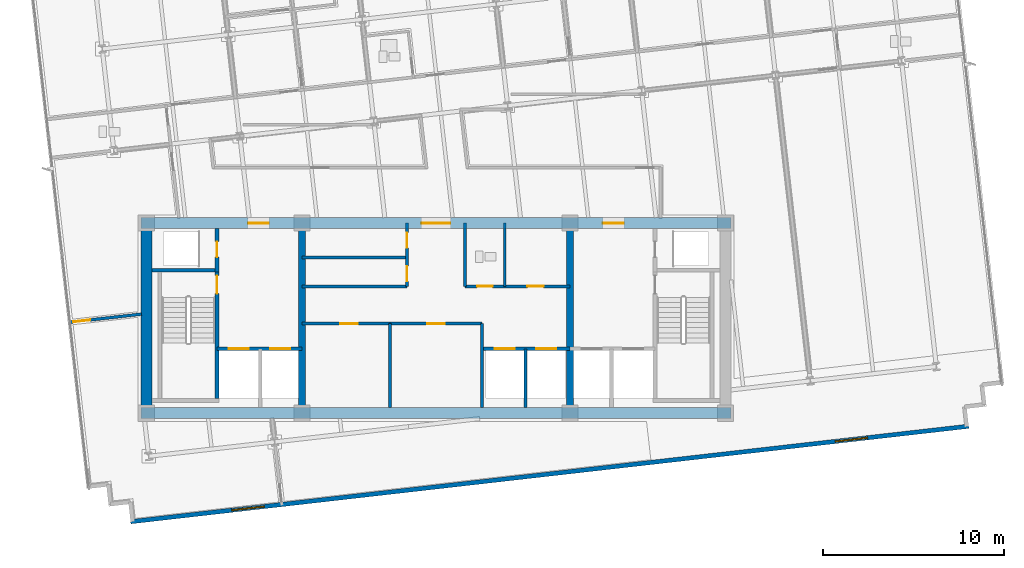
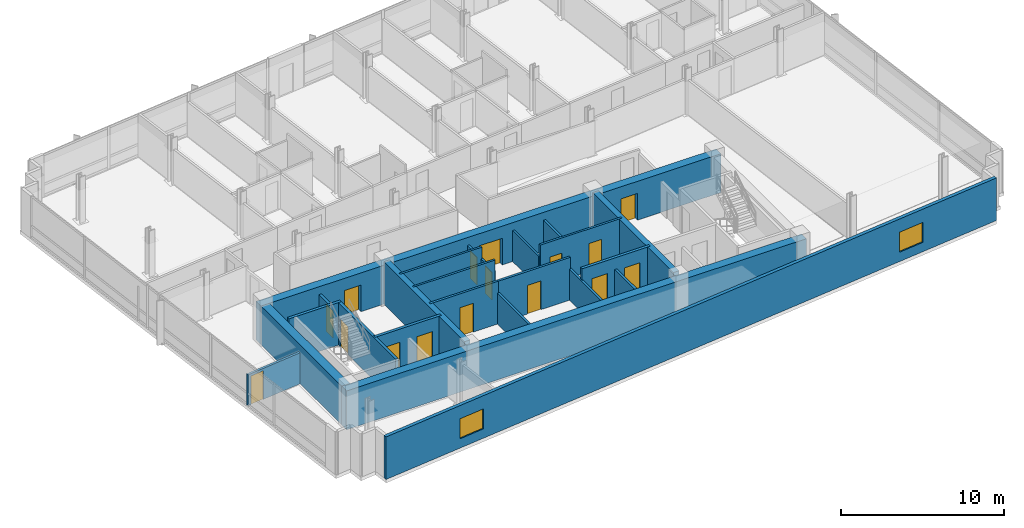
# One storey, part 8 of 16: 23 walls, 16 doors, 2 windows, 18 openings.
"""IFC4 building model written with IfcOpenShell, lengths in metres."""

from ifc_helpers import new_model, si_unit, direction, frame, frame_2d, origin, place, context, subcontext, project, spatial, rectangle, extrude, material, layer, layer_set, type_object, element, fill, save


model = new_model("IFC4")

# Units and contexts
model_context = context("Model", 3, precision=1e-05, world=origin(), true_north=direction((0.0, 1.0)))
body_context = subcontext(model_context, "Body", "Model", "MODEL_VIEW")
ifc_project = project(units=[si_unit("LENGTHUNIT", "METRE"), si_unit("AREAUNIT", "SQUARE_METRE"), si_unit("VOLUMEUNIT", "CUBIC_METRE"), si_unit("PLANEANGLEUNIT", "RADIAN"), si_unit("MASSUNIT", "GRAM", prefix="KILO")], contexts=[model_context])

# Site, building, storey
site_placement = place(None, origin())
site = spatial("IfcSite", under=ifc_project, at=site_placement, CompositionType="ELEMENT")
building_placement = place(site_placement, origin())
building = spatial("IfcBuilding", under=site, at=building_placement, Name="Solmavex Isthmus Hotel", CompositionType="ELEMENT")
storey_placement = place(building_placement, frame((0.0, 0.0, 205.5)))
storey = spatial("IfcBuildingStorey", under=building, at=storey_placement, Name="L55", CompositionType="ELEMENT", Elevation=205.5)

# Wall, openings, windows
ifc_material_1 = material(Name="Precast Concrete C40/50", Category="concrete")
ifc_layer_1 = layer(ifc_material_1, 0.25)
ifc_layer_set_1 = layer_set([ifc_layer_1], Name="Precast Concrete C40/50")
wall_type_1 = type_object("IfcWallType", Name="EW-TWR-250", PredefinedType="STANDARD", material=ifc_layer_set_1)
wall_1_placement = place(storey_placement, frame((-16.86962890625, -18.99951171875, 0.0), z_axis=(0.0, 0.0, 1.0), x_axis=(0.993571588328, 0.113205560228, 0.0)))
wall_1 = element("IfcWall", 1, at=wall_1_placement, inside=storey, type_object=wall_type_1, Name="Tower Rear South Facade Wall L55", PredefinedType="STANDARD", context=body_context, shape_type="SweptSolid", body=[
    extrude(rectangle(XDim=46.60009765625, YDim=0.239990234375, at=frame_2d((23.300048828125, 0.0))), origin(), (0.0, 0.0, 1.0), 3.18994140625),
])
opening_1_placement = place(wall_1_placement, frame((5.6240234375, 0.0, 0.699951171875)))
opening_1 = element("IfcOpeningElement", 2, at=opening_1_placement, cuts=wall_1, Name="Opening WN-02", PredefinedType="OPENING", context=body_context, shape_type="SweptSolid", body=[
    extrude(rectangle(XDim=1.800048828125, YDim=1.5, at=frame_2d((0.89990234375, 0.75))), frame((0.0, 0.1298828125, 0.0), z_axis=(0.0, -1.0, 0.0), x_axis=(1.0, 0.0, 0.0)), (0.0, 0.0, 1.0), 0.260009765625),
])
opening_2_placement = place(wall_1_placement, frame((39.176025390625, 0.0, 0.699951171875)))
opening_2 = element("IfcOpeningElement", 3, at=opening_2_placement, cuts=wall_1, Name="Opening WN-02", PredefinedType="OPENING", context=body_context, shape_type="SweptSolid", body=[
    extrude(rectangle(XDim=1.800048828125, YDim=1.5, at=frame_2d((0.89990234375, 0.75))), frame((0.0, 0.1298828125, 0.0), z_axis=(0.0, -1.0, 0.0), x_axis=(1.0, 0.0, 0.0)), (0.0, 0.0, 1.0), 0.260009765625),
])
ifc_material_2 = material(Name="Clear low-E laminated glass", Category="glass")
window_type = type_object("IfcWindowType", Name="WIN-TWR-1800", PartitioningType="SINGLE_PANEL", PredefinedType="WINDOW", material=ifc_material_2)
window_1_placement = place(opening_1_placement, origin())
window_1 = element("IfcWindow", 4, at=window_1_placement, inside=storey, type_object=window_type, Name="South Facade Vision Window L55-S1", OverallHeight=1.5, OverallWidth=1.800048828125, PartitioningType="SINGLE_PANEL", PredefinedType="WINDOW", context=body_context, shape_type="SweptSolid", body=[
    extrude(rectangle(XDim=1.800048828125, YDim=1.5, at=frame_2d((0.89990234375, 0.75))), frame((0.0, 0.030029296875, 0.0), z_axis=(0.0, -1.0, 0.0), x_axis=(1.0, 0.0, 0.0)), (0.0, 0.0, 1.0), 0.06005859375),
])
fill(opening_1, window_1)
window_2_placement = place(opening_2_placement, origin())
window_2 = element("IfcWindow", 5, at=window_2_placement, inside=storey, type_object=window_type, Name="South Facade Vision Window L55-S2", OverallHeight=1.5, OverallWidth=1.800048828125, PartitioningType="SINGLE_PANEL", PredefinedType="WINDOW", context=body_context, shape_type="SweptSolid", body=[
    extrude(rectangle(XDim=1.800048828125, YDim=1.5, at=frame_2d((0.89990234375, 0.75))), frame((0.0, 0.030029296875, 0.0), z_axis=(0.0, -1.0, 0.0), x_axis=(1.0, 0.0, 0.0)), (0.0, 0.0, 1.0), 0.06005859375),
])
fill(opening_2, window_2)

# Wall, opening, door
ifc_material_3 = material(Name="Gypsum plasterboard lining", Category="gypsum")
ifc_layer_2 = layer(ifc_material_3, 0.159912109375)
ifc_layer_set_2 = layer_set([ifc_layer_2], Name="Gypsum plasterboard lining")
wall_type_2 = type_object("IfcWallType", Name="IW-COMP-160", PredefinedType="PARTITIONING", material=ifc_layer_set_2)
wall_2_placement = place(storey_placement, frame((-7.39990234375, -8.050048828125, 0.0), z_axis=(0.0, 0.0, 1.0), x_axis=(1.0, 0.0, 0.0)))
wall_2 = element("IfcWall", 6, at=wall_2_placement, inside=storey, type_object=wall_type_2, Name="Interior Partition Wall W-L55-REC-PLL-N", PredefinedType="PARTITIONING", context=body_context, shape_type="SweptSolid", body=[
    extrude(rectangle(XDim=4.849853515625, YDim=0.159912109375, at=frame_2d((2.4248046875, 0.0))), origin(), (0.0, 0.0, 1.0), 3.18994140625),
])
opening_3_placement = place(wall_2_placement, frame((2.125, 0.0, 0.0)))
opening_3 = element("IfcOpeningElement", 7, at=opening_3_placement, cuts=wall_2, Name="Opening ID-C095", PredefinedType="OPENING", context=body_context, shape_type="SweptSolid", body=[
    extrude(rectangle(XDim=0.949951171875, YDim=2.14990234375, at=frame_2d((0.47509765625, 1.074951171875))), frame((0.0, 0.08984375, 0.0), z_axis=(0.0, -1.0, 0.0), x_axis=(1.0, 0.0, 0.0)), (0.0, 0.0, 1.0), 0.179931640625),
])
ifc_material_4 = material(Name="Hardwood timber", Category="wood")
door_type_1 = type_object("IfcDoorType", Name="IDR-FD60-0950", OperationType="NOTDEFINED", PredefinedType="DOOR", material=ifc_material_4)
door_1_placement = place(opening_3_placement, origin())
door_1 = element("IfcDoor", 8, at=door_1_placement, inside=storey, type_object=door_type_1, Name="Linen Reserve Door L55", OperationType="SINGLE_SWING_LEFT", OverallHeight=2.14990234375, OverallWidth=0.949951171875, PredefinedType="DOOR", context=body_context, shape_type="SweptSolid", body=[
    extrude(rectangle(XDim=0.949951171875, YDim=2.14990234375, at=frame_2d((0.47509765625, 1.074951171875))), frame((0.0, 0.02490234375, 0.0), z_axis=(0.0, -1.0, 0.0), x_axis=(1.0, 0.0, 0.0)), (0.0, 0.0, 1.0), 0.050048828125),
])
fill(opening_3, door_1)

# Wall
wall_3_placement = place(storey_placement, frame((-2.550048828125, -12.699951171875, 0.0), z_axis=(0.0, 0.0, 1.0), x_axis=(0.0, 1.0, 0.0)))
element("IfcWall", 9, at=wall_3_placement, inside=storey, type_object=wall_type_2, Name="Interior Partition Wall W-L55-REC-PLL-E", PredefinedType="PARTITIONING", context=body_context, shape_type="SweptSolid", body=[
    extrude(rectangle(XDim=4.64990234375, YDim=0.159912109375, at=frame_2d((2.324951171875, 0.0))), origin(), (0.0, 0.0, 1.0), 2.324951171875),
])

# Wall, opening, door
wall_4_placement = place(storey_placement, frame((-2.550048828125, -8.050048828125, 0.0), z_axis=(0.0, 0.0, 1.0), x_axis=(1.0, 0.0, 0.0)))
wall_4 = element("IfcWall", 10, at=wall_4_placement, inside=storey, type_object=wall_type_2, Name="Interior Partition Wall W-L55-REC-PLM-N", PredefinedType="PARTITIONING", context=body_context, shape_type="SweptSolid", body=[
    extrude(rectangle(XDim=5.10009765625, YDim=0.159912109375, at=frame_2d((2.550048828125, 0.0))), origin(), (0.0, 0.0, 1.0), 3.18994140625),
])
opening_4_placement = place(wall_4_placement, frame((2.074951171875, 0.0, 0.0)))
opening_4 = element("IfcOpeningElement", 11, at=opening_4_placement, cuts=wall_4, Name="Opening ID-C095", PredefinedType="OPENING", context=body_context, shape_type="SweptSolid", body=[
    extrude(rectangle(XDim=0.949951171875, YDim=2.14990234375, at=frame_2d((0.47509765625, 1.074951171875))), frame((0.0, 0.08984375, 0.0), z_axis=(0.0, -1.0, 0.0), x_axis=(1.0, 0.0, 0.0)), (0.0, 0.0, 1.0), 0.179931640625),
])
door_2_placement = place(opening_4_placement, origin())
door_2 = element("IfcDoor", 12, at=door_2_placement, inside=storey, type_object=door_type_1, Name="Butler Store Door L55", OperationType="SINGLE_SWING_RIGHT", OverallHeight=2.14990234375, OverallWidth=0.949951171875, PredefinedType="DOOR", context=body_context, shape_type="SweptSolid", body=[
    extrude(rectangle(XDim=0.949951171875, YDim=2.14990234375, at=frame_2d((0.47509765625, 1.074951171875))), frame((0.0, 0.02490234375, 0.0), z_axis=(0.0, -1.0, 0.0), x_axis=(1.0, 0.0, 0.0)), (0.0, 0.0, 1.0), 0.050048828125),
])
fill(opening_4, door_2)

# Wall
wall_5_placement = place(storey_placement, frame((2.550048828125, -12.699951171875, 0.0), z_axis=(0.0, 0.0, 1.0), x_axis=(0.0, 1.0, 0.0)))
element("IfcWall", 13, at=wall_5_placement, inside=storey, type_object=wall_type_2, Name="Interior Partition Wall W-L55-REC-PLM-E", PredefinedType="PARTITIONING", context=body_context, shape_type="SweptSolid", body=[
    extrude(rectangle(XDim=4.64990234375, YDim=0.159912109375, at=frame_2d((2.324951171875, 0.0))), origin(), (0.0, 0.0, 1.0), 2.324951171875),
])

# Wall, opening, door
wall_6_placement = place(storey_placement, frame((-16.26025390625, -7.52685546875, 0.0), z_axis=(0.0, 0.0, 1.0), x_axis=(-0.993571333357, -0.113207798012, 0.0)))
wall_6 = element("IfcWall", 14, at=wall_6_placement, inside=storey, type_object=wall_type_2, Name="Interior Partition Wall W-L55-P070", PredefinedType="PARTITIONING", context=body_context, shape_type="SweptSolid", body=[
    extrude(rectangle(XDim=4.024169921875, YDim=0.159912109375, at=frame_2d((2.01220703125, 0.0))), origin(), (0.0, 0.0, 1.0), 2.324951171875),
])
opening_5_placement = place(wall_6_placement, frame((2.8623046875, 0.0, 0.0)))
opening_5 = element("IfcOpeningElement", 15, at=opening_5_placement, cuts=wall_6, Name="Opening ID-C095", PredefinedType="OPENING", context=body_context, shape_type="SweptSolid", body=[
    extrude(rectangle(XDim=0.949951171875, YDim=2.14990234375, at=frame_2d((0.47509765625, 1.074951171875))), frame((0.0, 0.08984375, 0.0), z_axis=(0.0, -1.0, 0.0), x_axis=(1.0, 0.0, 0.0)), (0.0, 0.0, 1.0), 0.179931640625),
])
door_3_placement = place(opening_5_placement, frame((0.949951171875, 0.0, 0.0), z_axis=(0.0, 0.0, 1.0), x_axis=(-1.0, 0.0, 0.0)))
door_3 = element("IfcDoor", 16, at=door_3_placement, inside=storey, type_object=door_type_1, Name="Corporate Briefing Office Door L55-21", OperationType="SINGLE_SWING_LEFT", OverallHeight=2.14990234375, OverallWidth=0.949951171875, PredefinedType="DOOR", context=body_context, shape_type="SweptSolid", body=[
    extrude(rectangle(XDim=0.949951171875, YDim=2.14990234375, at=frame_2d((0.47509765625, 1.074951171875))), frame((0.0, 0.02490234375, 0.0), z_axis=(0.0, -1.0, 0.0), x_axis=(1.0, 0.0, 0.0)), (0.0, 0.0, 1.0), 0.050048828125),
])
fill(opening_5, door_3)

# Wall
ifc_layer_3 = layer(ifc_material_3, 0.14990234375)
ifc_layer_set_3 = layer_set([ifc_layer_3], Name="Gypsum plasterboard lining")
wall_type_3 = type_object("IfcWallType", Name="IW-CORR-150", PredefinedType="PARTITIONING", material=ifc_layer_set_3)
wall_7_placement = place(storey_placement, frame((-7.39990234375, -6.0, 0.0), z_axis=(0.0, 0.0, 1.0), x_axis=(1.0, 0.0, 0.0)))
element("IfcWall", 17, at=wall_7_placement, inside=storey, type_object=wall_type_3, Name="Interior Partition Wall W-L55-BOH-WS", PredefinedType="PARTITIONING", context=body_context, shape_type="SweptSolid", body=[
    extrude(rectangle(XDim=5.7998046875, YDim=0.14990234375, at=frame_2d((2.89990234375, 0.0))), origin(), (0.0, 0.0, 1.0), 3.18994140625),
])

# Wall, openings, doors
wall_8_placement = place(storey_placement, frame((-1.60009765625, -6.0, 0.0), z_axis=(0.0, 0.0, 1.0), x_axis=(0.0, 1.0, 0.0)))
wall_8 = element("IfcWall", 18, at=wall_8_placement, inside=storey, type_object=wall_type_3, Name="Interior Partition Wall W-L55-BOH-WE", PredefinedType="PARTITIONING", context=body_context, shape_type="SweptSolid", body=[
    extrude(rectangle(XDim=3.5, YDim=0.14990234375, at=frame_2d((1.75, 0.0))), origin(), (0.0, 0.0, 1.0), 2.324951171875),
])
opening_6_placement = place(wall_8_placement, frame((0.27490234375, 0.0, 0.0)))
opening_6 = element("IfcOpeningElement", 19, at=opening_6_placement, cuts=wall_8, Name="Opening ID-R085", PredefinedType="OPENING", context=body_context, shape_type="SweptSolid", body=[
    extrude(rectangle(XDim=0.85009765625, YDim=2.050048828125, at=frame_2d((0.425048828125, 1.02490234375))), frame((0.0, 0.0849609375, 0.0), z_axis=(0.0, -1.0, 0.0), x_axis=(1.0, 0.0, 0.0)), (0.0, 0.0, 1.0), 0.169921875),
])
opening_7_placement = place(wall_8_placement, frame((2.125, 0.0, 0.0)))
opening_7 = element("IfcOpeningElement", 20, at=opening_7_placement, cuts=wall_8, Name="Opening ID-R085", PredefinedType="OPENING", context=body_context, shape_type="SweptSolid", body=[
    extrude(rectangle(XDim=0.85009765625, YDim=2.050048828125, at=frame_2d((0.425048828125, 1.02490234375))), frame((0.0, 0.0849609375, 0.0), z_axis=(0.0, -1.0, 0.0), x_axis=(1.0, 0.0, 0.0)), (0.0, 0.0, 1.0), 0.169921875),
])
ifc_material_5 = material(Name="Steel ASTM A500 Grade C", Category="steel")
door_type_2 = type_object("IfcDoorType", Name="IDR-FD60-0850", OperationType="NOTDEFINED", PredefinedType="DOOR", material=ifc_material_5)
door_4_placement = place(opening_6_placement, origin())
door_4 = element("IfcDoor", 21, at=door_4_placement, inside=storey, type_object=door_type_2, Name="Housekeeping Door L55", OperationType="SINGLE_SWING_LEFT", OverallHeight=2.050048828125, OverallWidth=0.85009765625, PredefinedType="DOOR", context=body_context, shape_type="SweptSolid", body=[
    extrude(rectangle(XDim=0.85009765625, YDim=2.050048828125, at=frame_2d((0.425048828125, 1.02490234375))), frame((0.0, 0.02490234375, 0.0), z_axis=(0.0, -1.0, 0.0), x_axis=(1.0, 0.0, 0.0)), (0.0, 0.0, 1.0), 0.050048828125),
])
fill(opening_6, door_4)
door_5_placement = place(opening_7_placement, origin())
door_5 = element("IfcDoor", 22, at=door_5_placement, inside=storey, type_object=door_type_2, Name="Valet Store Door L55", OperationType="SINGLE_SWING_RIGHT", OverallHeight=2.050048828125, OverallWidth=0.85009765625, PredefinedType="DOOR", context=body_context, shape_type="SweptSolid", body=[
    extrude(rectangle(XDim=0.85009765625, YDim=2.050048828125, at=frame_2d((0.425048828125, 1.02490234375))), frame((0.0, 0.02490234375, 0.0), z_axis=(0.0, -1.0, 0.0), x_axis=(1.0, 0.0, 0.0)), (0.0, 0.0, 1.0), 0.050048828125),
])
fill(opening_7, door_5)

wall_9_placement = place(storey_placement, frame((1.60009765625, -6.0, 0.0), z_axis=(0.0, 0.0, 1.0), x_axis=(1.0, 0.0, 0.0)))
wall_9 = element("IfcWall", 23, at=wall_9_placement, inside=storey, type_object=wall_type_3, Name="Interior Partition Wall W-L55-BOH-ES", PredefinedType="PARTITIONING", context=body_context, shape_type="SweptSolid", body=[
    extrude(rectangle(XDim=5.7998046875, YDim=0.14990234375, at=frame_2d((2.89990234375, 0.0))), origin(), (0.0, 0.0, 1.0), 3.18994140625),
])
opening_8_placement = place(wall_9_placement, frame((0.675048828125, 0.0, 0.0)))
opening_8 = element("IfcOpeningElement", 24, at=opening_8_placement, cuts=wall_9, Name="Opening ID-R085", PredefinedType="OPENING", context=body_context, shape_type="SweptSolid", body=[
    extrude(rectangle(XDim=0.85009765625, YDim=2.050048828125, at=frame_2d((0.425048828125, 1.02490234375))), frame((0.0, 0.0849609375, 0.0), z_axis=(0.0, -1.0, 0.0), x_axis=(1.0, 0.0, 0.0)), (0.0, 0.0, 1.0), 0.169921875),
])
opening_9_placement = place(wall_9_placement, frame((3.449951171875, 0.0, 0.0)))
opening_9 = element("IfcOpeningElement", 25, at=opening_9_placement, cuts=wall_9, Name="Opening ID-C090", PredefinedType="OPENING", context=body_context, shape_type="SweptSolid", body=[
    extrude(rectangle(XDim=0.89990234375, YDim=2.10009765625, at=frame_2d((0.449951171875, 1.050048828125))), frame((0.0, 0.0849609375, 0.0), z_axis=(0.0, -1.0, 0.0), x_axis=(1.0, 0.0, 0.0)), (0.0, 0.0, 1.0), 0.169921875),
])
door_6_placement = place(opening_8_placement, frame((0.85009765625, 0.0, 0.0), z_axis=(0.0, 0.0, 1.0), x_axis=(-1.0, 0.0, 0.0)))
door_6 = element("IfcDoor", 26, at=door_6_placement, inside=storey, type_object=door_type_2, Name="Staff WC Door L55", OperationType="SINGLE_SWING_LEFT", OverallHeight=2.050048828125, OverallWidth=0.85009765625, PredefinedType="DOOR", context=body_context, shape_type="SweptSolid", body=[
    extrude(rectangle(XDim=0.85009765625, YDim=2.050048828125, at=frame_2d((0.425048828125, 1.02490234375))), frame((0.0, 0.02490234375, 0.0), z_axis=(0.0, -1.0, 0.0), x_axis=(1.0, 0.0, 0.0)), (0.0, 0.0, 1.0), 0.050048828125),
])
fill(opening_8, door_6)
door_type_3 = type_object("IfcDoorType", Name="IDR-FD60-0900", OperationType="NOTDEFINED", PredefinedType="DOOR", material=ifc_material_4)
door_7_placement = place(opening_9_placement, frame((0.89990234375, 0.0, 0.0), z_axis=(0.0, 0.0, 1.0), x_axis=(-1.0, 0.0, 0.0)))
door_7 = element("IfcDoor", 27, at=door_7_placement, inside=storey, type_object=door_type_3, Name="Room Service Door L55", OperationType="SINGLE_SWING_RIGHT", OverallHeight=2.10009765625, OverallWidth=0.89990234375, PredefinedType="DOOR", context=body_context, shape_type="SweptSolid", body=[
    extrude(rectangle(XDim=0.89990234375, YDim=2.10009765625, at=frame_2d((0.449951171875, 1.050048828125))), frame((0.0, 0.02490234375, 0.0), z_axis=(0.0, -1.0, 0.0), x_axis=(1.0, 0.0, 0.0)), (0.0, 0.0, 1.0), 0.050048828125),
])
fill(opening_9, door_7)

# Walls
wall_10_placement = place(storey_placement, frame((1.60009765625, -6.0, 0.0), z_axis=(0.0, 0.0, 1.0), x_axis=(0.0, 1.0, 0.0)))
element("IfcWall", 28, at=wall_10_placement, inside=storey, type_object=wall_type_3, Name="Interior Partition Wall W-L55-BOH-EW", PredefinedType="PARTITIONING", context=body_context, shape_type="SweptSolid", body=[
    extrude(rectangle(XDim=3.5, YDim=0.14990234375, at=frame_2d((1.75, 0.0))), origin(), (0.0, 0.0, 1.0), 2.324951171875),
])
ifc_layer_4 = layer(ifc_material_3, 0.1201171875)
ifc_layer_set_4 = layer_set([ifc_layer_4], Name="Gypsum plasterboard lining")
wall_type_4 = type_object("IfcWallType", Name="IW-PART-120", PredefinedType="PARTITIONING", material=ifc_layer_set_4)
wall_11_placement = place(storey_placement, frame((-7.39990234375, -4.39990234375, 0.0), z_axis=(0.0, 0.0, 1.0), x_axis=(1.0, 0.0, 0.0)))
element("IfcWall", 29, at=wall_11_placement, inside=storey, type_object=wall_type_4, Name="Interior Partition Wall W-L55-BOH-WH3", PredefinedType="PARTITIONING", context=body_context, shape_type="SweptSolid", body=[
    extrude(rectangle(XDim=5.7998046875, YDim=0.14990234375, at=frame_2d((2.89990234375, 0.0))), origin(), (0.0, 0.0, 1.0), 3.18994140625),
])
wall_12_placement = place(storey_placement, frame((3.800048828125, -6.0, 0.0), z_axis=(0.0, 0.0, 1.0), x_axis=(0.0, 1.0, 0.0)))
element("IfcWall", 30, at=wall_12_placement, inside=storey, type_object=wall_type_4, Name="Interior Partition Wall W-L55-BOH-EM3", PredefinedType="PARTITIONING", context=body_context, shape_type="SweptSolid", body=[
    extrude(rectangle(XDim=3.5, YDim=0.14990234375, at=frame_2d((1.75, 0.0))), origin(), (0.0, 0.0, 1.0), 2.324951171875),
])
ifc_material_6 = material(Name="Concrete C40/50", Category="concrete")
ifc_layer_5 = layer(ifc_material_6, 0.179931640625)
ifc_layer_set_5 = layer_set([ifc_layer_5], Name="Concrete C40/50")
wall_type_5 = type_object("IfcWallType", Name="IW-SHAFT-180", PredefinedType="PARTITIONING", material=ifc_layer_set_5)
wall_13_placement = place(storey_placement, frame((4.949951171875, -12.699951171875, 0.0), z_axis=(0.0, 0.0, 1.0), x_axis=(0.0, 1.0, 0.0)))
element("IfcWall", 31, at=wall_13_placement, inside=storey, type_object=wall_type_5, Name="Interior Partition Wall W-L55-SH-PLH-M", PredefinedType="PARTITIONING", context=body_context, shape_type="SweptSolid", body=[
    extrude(rectangle(XDim=3.25, YDim=0.179931640625, at=frame_2d((1.625, 0.0))), origin(), (0.0, 0.0, 1.0), 2.324951171875),
])

# Wall, opening, door
ifc_layer_6 = layer(ifc_material_6, 0.199951171875)
ifc_layer_set_6 = layer_set([ifc_layer_6], Name="Concrete C40/50")
wall_type_6 = type_object("IfcWallType", Name="IW-SHAFT-200", PredefinedType="PARTITIONING", material=ifc_layer_set_6)
wall_14_placement = place(storey_placement, frame((-12.10009765625, -5.199951171875, 0.0), z_axis=(0.0, 0.0, 1.0), x_axis=(0.0, 1.0, 0.0)))
wall_14 = element("IfcWall", 32, at=wall_14_placement, inside=storey, type_object=wall_type_6, Name="Interior Partition Wall W-L55-RSW-E", PredefinedType="PARTITIONING", context=body_context, shape_type="SweptSolid", body=[
    extrude(rectangle(XDim=2.39990234375, YDim=0.199951171875, at=frame_2d((1.199951171875, 0.0))), origin(), (0.0, 0.0, 1.0), 2.324951171875),
])
opening_10_placement = place(wall_14_placement, frame((0.824951171875, 0.0, 0.0)))
opening_10 = element("IfcOpeningElement", 33, at=opening_10_placement, cuts=wall_14, Name="Opening ID-R085", PredefinedType="OPENING", context=body_context, shape_type="SweptSolid", body=[
    extrude(rectangle(XDim=0.85009765625, YDim=2.050048828125, at=frame_2d((0.425048828125, 1.02490234375))), frame((0.0, 0.10986328125, 0.0), z_axis=(0.0, -1.0, 0.0), x_axis=(1.0, 0.0, 0.0)), (0.0, 0.0, 1.0), 0.219970703125),
])
door_8_placement = place(opening_10_placement, origin())
door_8 = element("IfcDoor", 34, at=door_8_placement, inside=storey, type_object=door_type_2, Name="Electrical Riser Door L55", OperationType="SINGLE_SWING_RIGHT", OverallHeight=2.050048828125, OverallWidth=0.85009765625, PredefinedType="DOOR", context=body_context, shape_type="SweptSolid", body=[
    extrude(rectangle(XDim=0.85009765625, YDim=2.050048828125, at=frame_2d((0.425048828125, 1.02490234375))), frame((0.0, 0.02490234375, 0.0), z_axis=(0.0, -1.0, 0.0), x_axis=(1.0, 0.0, 0.0)), (0.0, 0.0, 1.0), 0.050048828125),
])
fill(opening_10, door_8)

# Wall, openings, doors
wall_15_placement = place(storey_placement, frame((-12.10009765625, -9.449951171875, 0.0), z_axis=(0.0, 0.0, 1.0), x_axis=(1.0, 0.0, 0.0)))
wall_15 = element("IfcWall", 35, at=wall_15_placement, inside=storey, type_object=wall_type_6, Name="Interior Partition Wall W-L55-FFLW-S", PredefinedType="PARTITIONING", context=body_context, shape_type="SweptSolid", body=[
    extrude(rectangle(XDim=4.7001953125, YDim=0.199951171875, at=frame_2d((2.35009765625, 0.0))), origin(), (0.0, 0.0, 1.0), 3.18994140625),
])
opening_11_placement = place(wall_15_placement, frame((0.64990234375, 0.0, 0.0)))
opening_11 = element("IfcOpeningElement", 36, at=opening_11_placement, cuts=wall_15, Name="Opening LD-FF", PredefinedType="OPENING", context=body_context, shape_type="SweptSolid", body=[
    extrude(rectangle(XDim=1.10009765625, YDim=2.199951171875, at=frame_2d((0.550048828125, 1.10009765625))), frame((0.0, 0.10986328125, 0.0), z_axis=(0.0, -1.0, 0.0), x_axis=(1.0, 0.0, 0.0)), (0.0, 0.0, 1.0), 0.219970703125),
])
opening_12_placement = place(wall_15_placement, frame((2.949951171875, 0.0, 0.0)))
opening_12 = element("IfcOpeningElement", 37, at=opening_12_placement, cuts=wall_15, Name="Opening LD-SV", PredefinedType="OPENING", context=body_context, shape_type="SweptSolid", body=[
    extrude(rectangle(XDim=1.10009765625, YDim=2.199951171875, at=frame_2d((0.550048828125, 1.10009765625))), frame((0.0, 0.10986328125, 0.0), z_axis=(0.0, -1.0, 0.0), x_axis=(1.0, 0.0, 0.0)), (0.0, 0.0, 1.0), 0.219970703125),
])
ifc_material_7 = material(Name="Stainless steel 316", Category="steel")
door_type_4 = type_object("IfcDoorType", Name="LDR-FF-1100", OperationType="NOTDEFINED", PredefinedType="DOOR", material=ifc_material_7)
door_9_placement = place(opening_11_placement, origin())
door_9 = element("IfcDoor", 38, at=door_9_placement, inside=storey, type_object=door_type_4, Name="Lift Landing Door FFL-1 L55", OperationType="SLIDING_TO_LEFT", OverallHeight=2.199951171875, OverallWidth=1.10009765625, PredefinedType="DOOR", context=body_context, shape_type="SweptSolid", body=[
    extrude(rectangle(XDim=1.10009765625, YDim=2.199951171875, at=frame_2d((0.550048828125, 1.10009765625))), frame((0.0, 0.02490234375, 0.0), z_axis=(0.0, -1.0, 0.0), x_axis=(1.0, 0.0, 0.0)), (0.0, 0.0, 1.0), 0.050048828125),
])
fill(opening_11, door_9)
door_type_5 = type_object("IfcDoorType", Name="LDR-SV-1100", OperationType="NOTDEFINED", PredefinedType="DOOR", material=ifc_material_7)
door_10_placement = place(opening_12_placement, origin())
door_10 = element("IfcDoor", 39, at=door_10_placement, inside=storey, type_object=door_type_5, Name="Lift Landing Door SVL-1 L55", OperationType="SLIDING_TO_RIGHT", OverallHeight=2.199951171875, OverallWidth=1.10009765625, PredefinedType="DOOR", context=body_context, shape_type="SweptSolid", body=[
    extrude(rectangle(XDim=1.10009765625, YDim=2.199951171875, at=frame_2d((0.550048828125, 1.10009765625))), frame((0.0, 0.02490234375, 0.0), z_axis=(0.0, -1.0, 0.0), x_axis=(1.0, 0.0, 0.0)), (0.0, 0.0, 1.0), 0.050048828125),
])
fill(opening_12, door_10)

wall_16_placement = place(storey_placement, frame((2.550048828125, -9.449951171875, 0.0), z_axis=(0.0, 0.0, 1.0), x_axis=(1.0, 0.0, 0.0)))
wall_16 = element("IfcWall", 40, at=wall_16_placement, inside=storey, type_object=wall_type_6, Name="Interior Partition Wall W-L55-SH-PLH", PredefinedType="PARTITIONING", context=body_context, shape_type="SweptSolid", body=[
    extrude(rectangle(XDim=4.849853515625, YDim=0.199951171875, at=frame_2d((2.4248046875, 0.0))), origin(), (0.0, 0.0, 1.0), 3.18994140625),
])
opening_13_placement = place(wall_16_placement, frame((0.699951171875, 0.0, 0.0)))
opening_13 = element("IfcOpeningElement", 41, at=opening_13_placement, cuts=wall_16, Name="Opening LD-PL", PredefinedType="OPENING", context=body_context, shape_type="SweptSolid", body=[
    extrude(rectangle(XDim=1.10009765625, YDim=2.199951171875, at=frame_2d((0.550048828125, 1.10009765625))), frame((0.0, 0.10986328125, 0.0), z_axis=(0.0, -1.0, 0.0), x_axis=(1.0, 0.0, 0.0)), (0.0, 0.0, 1.0), 0.219970703125),
])
opening_14_placement = place(wall_16_placement, frame((3.0, 0.0, 0.0)))
opening_14 = element("IfcOpeningElement", 42, at=opening_14_placement, cuts=wall_16, Name="Opening LD-PL", PredefinedType="OPENING", context=body_context, shape_type="SweptSolid", body=[
    extrude(rectangle(XDim=1.10009765625, YDim=2.199951171875, at=frame_2d((0.550048828125, 1.10009765625))), frame((0.0, 0.10986328125, 0.0), z_axis=(0.0, -1.0, 0.0), x_axis=(1.0, 0.0, 0.0)), (0.0, 0.0, 1.0), 0.219970703125),
])
door_type_6 = type_object("IfcDoorType", Name="LDR-PL-1100", OperationType="NOTDEFINED", PredefinedType="DOOR", material=ifc_material_7)
door_11_placement = place(opening_13_placement, origin())
door_11 = element("IfcDoor", 43, at=door_11_placement, inside=storey, type_object=door_type_6, Name="Lift Landing Door PLH1 L55", OperationType="SLIDING_TO_LEFT", OverallHeight=2.199951171875, OverallWidth=1.10009765625, PredefinedType="DOOR", context=body_context, shape_type="SweptSolid", body=[
    extrude(rectangle(XDim=1.10009765625, YDim=2.199951171875, at=frame_2d((0.550048828125, 1.10009765625))), frame((0.0, 0.02490234375, 0.0), z_axis=(0.0, -1.0, 0.0), x_axis=(1.0, 0.0, 0.0)), (0.0, 0.0, 1.0), 0.050048828125),
])
fill(opening_13, door_11)
door_12_placement = place(opening_14_placement, origin())
door_12 = element("IfcDoor", 44, at=door_12_placement, inside=storey, type_object=door_type_6, Name="Lift Landing Door PLH2 L55", OperationType="SLIDING_TO_LEFT", OverallHeight=2.199951171875, OverallWidth=1.10009765625, PredefinedType="DOOR", context=body_context, shape_type="SweptSolid", body=[
    extrude(rectangle(XDim=1.10009765625, YDim=2.199951171875, at=frame_2d((0.550048828125, 1.10009765625))), frame((0.0, 0.02490234375, 0.0), z_axis=(0.0, -1.0, 0.0), x_axis=(1.0, 0.0, 0.0)), (0.0, 0.0, 1.0), 0.050048828125),
])
fill(opening_14, door_12)

# Walls
ifc_material_8 = material(Name="Concrete C50/60", Category="concrete")
ifc_layer_7 = layer(ifc_material_8, 0.39990234375)
ifc_layer_set_7 = layer_set([ifc_layer_7], Name="Concrete C50/60")
wall_type_7 = type_object("IfcWallType", Name="WALL-CW-400H", PredefinedType="SHEAR", material=ifc_layer_set_7)
for number, where, z_axis, x_axis, name in (
    (45, (-7.39990234375, -12.699951171875, 0.0), (0.0, 0.0, 1.0), (0.0, 1.0, 0.0), "Core Cross Shear Wall C1 L55"),
    (46, (7.39990234375, -12.699951171875, 0.0), (0.0, 0.0, 1.0), (0.0, 1.0, 0.0), "Core Cross Shear Wall C2 L55"),
):
    element("IfcWall", number, at=place(storey_placement, frame(where, z_axis=z_axis, x_axis=x_axis)), inside=storey, type_object=wall_type_7, Name=name, PredefinedType="SHEAR", context=body_context, shape_type="SweptSolid", body=[
        extrude(rectangle(XDim=9.89990234375, YDim=0.39990234375, at=frame_2d((4.949951171875, 0.0))), origin(), (0.0, 0.0, 1.0), 3.18994140625),
    ])
ifc_layer_8 = layer(ifc_material_8, 0.60009765625)
ifc_layer_set_8 = layer_set([ifc_layer_8], Name="Concrete C50/60")
wall_type_8 = type_object("IfcWallType", Name="WALL-CW-600", PredefinedType="SHEAR", material=ifc_layer_set_8)
wall_17_placement = place(storey_placement, frame((-16.300048828125, -13.0, 0.0), z_axis=(0.0, 0.0, 1.0), x_axis=(1.0, 0.0, 0.0)))
element("IfcWall", 47, at=wall_17_placement, inside=storey, type_object=wall_type_8, Name="Core Shear Wall South L55", PredefinedType="SHEAR", context=body_context, shape_type="SweptSolid", body=[
    extrude(rectangle(XDim=32.60009765625, YDim=0.60009765625, at=frame_2d((16.300048828125, 0.0))), origin(), (0.0, 0.0, 1.0), 2.909912109375),
])

# Wall, openings, doors
wall_18_placement = place(storey_placement, frame((-16.300048828125, -2.5, 0.0), z_axis=(0.0, 0.0, 1.0), x_axis=(1.0, 0.0, 0.0)))
wall_18 = element("IfcWall", 48, at=wall_18_placement, inside=storey, type_object=wall_type_8, Name="Core Shear Wall North L55", PredefinedType="SHEAR", context=body_context, shape_type="SweptSolid", body=[
    extrude(rectangle(XDim=32.60009765625, YDim=0.60009765625, at=frame_2d((16.300048828125, 0.0))), origin(), (0.0, 0.0, 1.0), 2.909912109375),
])
opening_15_placement = place(wall_18_placement, frame((5.925048828125, 0.0, 0.0)))
opening_15 = element("IfcOpeningElement", 49, at=opening_15_placement, cuts=wall_18, Name="Opening ID-F915", PredefinedType="OPENING", context=body_context, shape_type="SweptSolid", body=[
    extrude(rectangle(XDim=1.14990234375, YDim=2.0, at=frame_2d((0.574951171875, 1.0))), frame((0.0, 0.31005859375, 0.0), z_axis=(0.0, -1.0, 0.0), x_axis=(1.0, 0.0, 0.0)), (0.0, 0.0, 1.0), 0.6201171875),
])
opening_16_placement = place(wall_18_placement, frame((15.5, 0.0, 0.0)))
opening_16 = element("IfcOpeningElement", 50, at=opening_16_placement, cuts=wall_18, Name="Opening ID-F960", PredefinedType="OPENING", context=body_context, shape_type="SweptSolid", body=[
    extrude(rectangle(XDim=1.60009765625, YDim=2.0, at=frame_2d((0.800048828125, 1.0))), frame((0.0, 0.31005859375, 0.0), z_axis=(0.0, -1.0, 0.0), x_axis=(1.0, 0.0, 0.0)), (0.0, 0.0, 1.0), 0.6201171875),
])
opening_17_placement = place(wall_18_placement, frame((25.52490234375, 0.0, 0.0)))
opening_17 = element("IfcOpeningElement", 51, at=opening_17_placement, cuts=wall_18, Name="Opening ID-F915", PredefinedType="OPENING", context=body_context, shape_type="SweptSolid", body=[
    extrude(rectangle(XDim=1.14990234375, YDim=2.0, at=frame_2d((0.574951171875, 1.0))), frame((0.0, 0.31005859375, 0.0), z_axis=(0.0, -1.0, 0.0), x_axis=(1.0, 0.0, 0.0)), (0.0, 0.0, 1.0), 0.6201171875),
])
door_type_7 = type_object("IfcDoorType", Name="IDR-FD90-1150C", OperationType="NOTDEFINED", PredefinedType="DOOR", material=ifc_material_5)
door_13_placement = place(opening_15_placement, origin())
door_13 = element("IfcDoor", 52, at=door_13_placement, inside=storey, type_object=door_type_7, Name="Firefighting Lobby West Exit Door L55", OperationType="SINGLE_SWING_LEFT", OverallHeight=2.0, OverallWidth=1.14990234375, PredefinedType="DOOR", context=body_context, shape_type="SweptSolid", body=[
    extrude(rectangle(XDim=1.14990234375, YDim=2.0, at=frame_2d((0.574951171875, 1.0))), frame((0.0, 0.02490234375, 0.0), z_axis=(0.0, -1.0, 0.0), x_axis=(1.0, 0.0, 0.0)), (0.0, 0.0, 1.0), 0.050048828125),
])
fill(opening_15, door_13)
door_14_placement = place(opening_17_placement, origin())
door_14 = element("IfcDoor", 53, at=door_14_placement, inside=storey, type_object=door_type_7, Name="Firefighting Lobby East Exit Door L55", OperationType="SINGLE_SWING_RIGHT", OverallHeight=2.0, OverallWidth=1.14990234375, PredefinedType="DOOR", context=body_context, shape_type="SweptSolid", body=[
    extrude(rectangle(XDim=1.14990234375, YDim=2.0, at=frame_2d((0.574951171875, 1.0))), frame((0.0, 0.02490234375, 0.0), z_axis=(0.0, -1.0, 0.0), x_axis=(1.0, 0.0, 0.0)), (0.0, 0.0, 1.0), 0.050048828125),
])
fill(opening_17, door_14)
door_type_8 = type_object("IfcDoorType", Name="IDR-FD90-1600C", OperationType="NOTDEFINED", PredefinedType="DOOR", material=ifc_material_5)
door_15_placement = place(opening_16_placement, origin())
door_15 = element("IfcDoor", 54, at=door_15_placement, inside=storey, type_object=door_type_8, Name="Central Lift Lobby Door L55", OperationType="DOUBLE_DOOR_SINGLE_SWING", OverallHeight=2.0, OverallWidth=1.60009765625, PredefinedType="DOOR", context=body_context, shape_type="SweptSolid", body=[
    extrude(rectangle(XDim=1.60009765625, YDim=2.0, at=frame_2d((0.800048828125, 1.0))), frame((0.0, 0.02490234375, 0.0), z_axis=(0.0, -1.0, 0.0), x_axis=(1.0, 0.0, 0.0)), (0.0, 0.0, 1.0), 0.050048828125),
])
fill(opening_16, door_15)

# Walls
wall_19_placement = place(storey_placement, frame((-16.0, -12.699951171875, 0.0), z_axis=(0.0, 0.0, 1.0), x_axis=(0.0, 1.0, 0.0)))
element("IfcWall", 55, at=wall_19_placement, inside=storey, type_object=wall_type_8, Name="Core Shear Wall West L55", PredefinedType="SHEAR", context=body_context, shape_type="SweptSolid", body=[
    extrude(rectangle(XDim=9.89990234375, YDim=0.60009765625, at=frame_2d((4.949951171875, 0.0))), origin(), (0.0, 0.0, 1.0), 2.909912109375),
])
ifc_layer_9 = layer(ifc_material_6, 0.199951171875)
ifc_layer_set_9 = layer_set([ifc_layer_9], Name="Concrete C40/50")
wall_type_9 = type_object("IfcWallType", Name="WALL-SW-200", PredefinedType="SOLIDWALL", material=ifc_layer_set_9)
wall_20_placement = place(storey_placement, frame((-15.699951171875, -5.10009765625, 0.0), z_axis=(0.0, 0.0, 1.0), x_axis=(1.0, 0.0, 0.0)))
element("IfcWall", 56, at=wall_20_placement, inside=storey, type_object=wall_type_9, Name="Stairwell Structural Wall SW-L55-ST1-N", PredefinedType="SOLIDWALL", context=body_context, shape_type="SweptSolid", body=[
    extrude(rectangle(XDim=3.699951171875, YDim=0.199951171875, at=frame_2d((1.85009765625, 0.0))), origin(), (0.0, 0.0, 1.0), 3.18994140625),
])

# Wall, opening, door
wall_21_placement = place(storey_placement, frame((-12.10009765625, -12.199951171875, 0.0), z_axis=(0.0, 0.0, 1.0), x_axis=(0.0, 1.0, 0.0)))
wall_21 = element("IfcWall", 57, at=wall_21_placement, inside=storey, type_object=wall_type_9, Name="Stairwell Structural Wall SW-L55-ST1-E", PredefinedType="SOLIDWALL", context=body_context, shape_type="SweptSolid", body=[
    extrude(rectangle(XDim=7.0, YDim=0.199951171875, at=frame_2d((3.5, 0.0))), origin(), (0.0, 0.0, 1.0), 3.18994140625),
])
opening_18_placement = place(wall_21_placement, frame((5.800048828125, 0.0, 0.0)))
opening_18 = element("IfcOpeningElement", 58, at=opening_18_placement, cuts=wall_21, Name="Opening ID-F100", PredefinedType="OPENING", context=body_context, shape_type="SweptSolid", body=[
    extrude(rectangle(XDim=1.0, YDim=2.10009765625, at=frame_2d((0.5, 1.050048828125))), frame((0.0, 0.10986328125, 0.0), z_axis=(0.0, -1.0, 0.0), x_axis=(1.0, 0.0, 0.0)), (0.0, 0.0, 1.0), 0.219970703125),
])
door_type_9 = type_object("IfcDoorType", Name="IDR-FD90-1000", OperationType="NOTDEFINED", PredefinedType="DOOR", material=ifc_material_5)
door_16_placement = place(opening_18_placement, frame((1.0, 0.0, 0.0), z_axis=(0.0, 0.0, 1.0), x_axis=(-1.0, 0.0, 0.0)))
door_16 = element("IfcDoor", 59, at=door_16_placement, inside=storey, type_object=door_type_9, Name="Stair ST-1 Fire Door L55", OperationType="SINGLE_SWING_LEFT", OverallHeight=2.10009765625, OverallWidth=1.0, PredefinedType="DOOR", context=body_context, shape_type="SweptSolid", body=[
    extrude(rectangle(XDim=1.0, YDim=2.10009765625, at=frame_2d((0.5, 1.050048828125))), frame((0.0, 0.02490234375, 0.0), z_axis=(0.0, -1.0, 0.0), x_axis=(1.0, 0.0, 0.0)), (0.0, 0.0, 1.0), 0.050048828125),
])
fill(opening_18, door_16)

save(model, "model.ifc")
